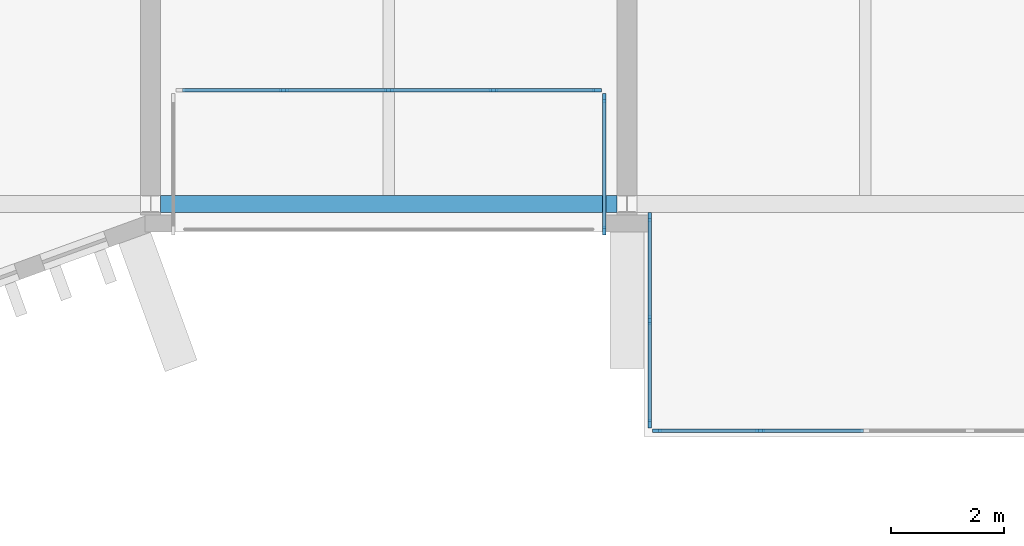
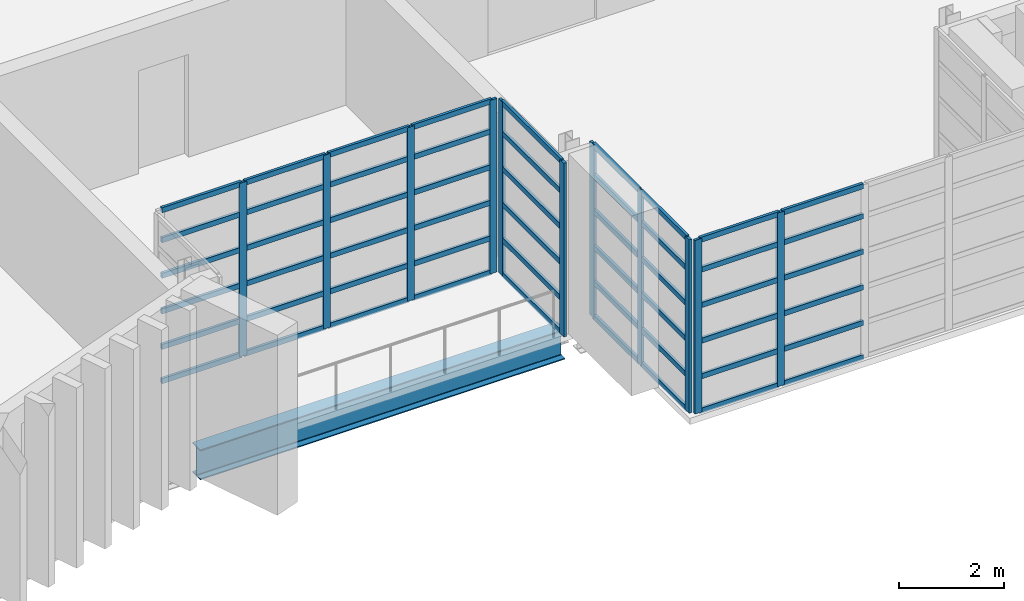
# One storey, part 39 of 100: 65 members, 1 beam, 4 elements without a shape of their own.
"""IFC4 building model written with IfcOpenShell, lengths in metres."""

from ifc_helpers import new_model, si_unit, direction, frame, origin, origin_2d, place, context, subcontext, project, spatial, rectangle, i_section, extrude, material, layer, layer_set, material_profile, profile_set, type_object, element, aggregate, save


model = new_model("IFC4")

# Units and contexts
model_context = context("Model", 3, precision=1e-05, world=origin(), true_north=direction((0.0, 1.0)))
body_context = subcontext(model_context, "Body", "Model", "MODEL_VIEW")
ifc_project = project(units=[si_unit("LENGTHUNIT", "METRE"), si_unit("AREAUNIT", "SQUARE_METRE"), si_unit("VOLUMEUNIT", "CUBIC_METRE"), si_unit("PLANEANGLEUNIT", "RADIAN"), si_unit("MASSUNIT", "GRAM", prefix="KILO")], contexts=[model_context])

# Site, building, storey
site_placement = place(None, origin())
site = spatial("IfcSite", under=ifc_project, at=site_placement, CompositionType="ELEMENT")
building_placement = place(site_placement, origin())
building = spatial("IfcBuilding", under=site, at=building_placement, Name="Cresset Court Congress Hotel", CompositionType="ELEMENT")
storey_placement = place(building_placement, frame((0.0, 0.0, 10.199951171875)))
storey = spatial("IfcBuildingStorey", under=building, at=storey_placement, Name="L02", CompositionType="ELEMENT", Elevation=10.199951171875)

# Curtain wall, members
ifc_material_1 = material(Name="Aluminium frame with double glazing", Category="aluminium")
ifc_layer = layer(ifc_material_1, 0.199951171875)
ifc_layer_set = layer_set([ifc_layer], Name="Glazed box curtain wall 1680 module")
curtain_wall_type = type_object("IfcCurtainWallType", Name="Glazed box curtain wall 1680 module", PredefinedType="NOTDEFINED", material=ifc_layer_set)
curtain_wall_1_placement = place(storey_placement, origin())
curtain_wall_1 = element("IfcCurtainWall", 1, at=curtain_wall_1_placement, inside=storey, type_object=curtain_wall_type, Name="Glazed box S0219 front", PredefinedType="NOTDEFINED")
ifc_material_2 = material(Name="Aluminium", Category="aluminium")
ifc_material_profile_1 = material_profile(ifc_material_2, rectangle(XDim=0.06005859375, YDim=0.159912109375, at=origin_2d()), Name="Box mullion 60x160")
ifc_profile_set_1 = profile_set([ifc_material_profile_1], Name="Aluminium")
member_type_1 = type_object("IfcMemberType", Name="Box mullion 60x160", PredefinedType="MULLION", material=ifc_profile_set_1)
member_1_placement = place(storey_placement, frame((136.75, 2.0, 0.0), z_axis=(0.0, 0.0, 1.0), x_axis=(0.0, 1.0, 0.0)))
member_1 = element("IfcMember", 2, at=member_1_placement, type_object=member_type_1, Name="B-X1 mullion 2", PredefinedType="MULLION", context=body_context, shape_type="SweptSolid", body=[
    extrude(rectangle(XDim=0.06005859375, YDim=0.159912109375, at=origin_2d()), origin(), (0.0, 0.0, 1.0), 4.050048828125),
])
member_2_placement = place(storey_placement, frame((138.60009765625, 2.0, 0.0), z_axis=(0.0, 0.0, 1.0), x_axis=(0.0, 1.0, 0.0)))
member_2 = element("IfcMember", 3, at=member_2_placement, type_object=member_type_1, Name="B-X1 mullion 3", PredefinedType="MULLION", context=body_context, shape_type="SweptSolid", body=[
    extrude(rectangle(XDim=0.06005859375, YDim=0.159912109375, at=origin_2d()), origin(), (0.0, 0.0, 1.0), 4.050048828125),
])
member_3_placement = place(storey_placement, frame((140.449951171875, 2.0, 0.0), z_axis=(0.0, 0.0, 1.0), x_axis=(0.0, 1.0, 0.0)))
member_3 = element("IfcMember", 4, at=member_3_placement, type_object=member_type_1, Name="B-X1 mullion 4", PredefinedType="MULLION", context=body_context, shape_type="SweptSolid", body=[
    extrude(rectangle(XDim=0.06005859375, YDim=0.159912109375, at=origin_2d()), origin(), (0.0, 0.0, 1.0), 4.050048828125),
])
member_4_placement = place(storey_placement, frame((142.27001953125, 2.0, 0.0), z_axis=(0.0, 0.0, 1.0), x_axis=(0.0, 1.0, 0.0)))
member_4 = element("IfcMember", 5, at=member_4_placement, type_object=member_type_1, Name="B-X1 mullion 5", PredefinedType="MULLION", context=body_context, shape_type="SweptSolid", body=[
    extrude(rectangle(XDim=0.06005859375, YDim=0.159912109375, at=origin_2d()), origin(), (0.0, 0.0, 1.0), 4.050048828125),
])

curtain_wall_2_placement = place(storey_placement, origin())
curtain_wall_2 = element("IfcCurtainWall", 6, at=curtain_wall_2_placement, inside=storey, type_object=curtain_wall_type, Name="Glazed box S0219 side", PredefinedType="NOTDEFINED")
member_5_placement = place(storey_placement, frame((142.39990234375, -0.469970703125, 0.0), z_axis=(0.0, 0.0, 1.0), x_axis=(-1.0, 0.0, 0.0)))
member_5 = element("IfcMember", 7, at=member_5_placement, type_object=member_type_1, Name="B-X1 mullion 1", PredefinedType="MULLION", context=body_context, shape_type="SweptSolid", body=[
    extrude(rectangle(XDim=0.06005859375, YDim=0.159912109375, at=origin_2d()), origin(), (0.0, 0.0, 1.0), 4.050048828125),
])
member_6_placement = place(storey_placement, frame((142.39990234375, 1.8701171875, 0.0), z_axis=(0.0, 0.0, 1.0), x_axis=(-1.0, 0.0, 0.0)))
member_6 = element("IfcMember", 8, at=member_6_placement, type_object=member_type_1, Name="B-X1 mullion 2", PredefinedType="MULLION", context=body_context, shape_type="SweptSolid", body=[
    extrude(rectangle(XDim=0.06005859375, YDim=0.159912109375, at=origin_2d()), origin(), (0.0, 0.0, 1.0), 4.050048828125),
])

curtain_wall_3_placement = place(storey_placement, origin())
curtain_wall_3 = element("IfcCurtainWall", 9, at=curtain_wall_3_placement, inside=storey, type_object=curtain_wall_type, Name="Glazed box S0222 front", PredefinedType="NOTDEFINED")
member_7_placement = place(storey_placement, frame((143.330078125, -4.0, 0.0), z_axis=(0.0, 0.0, 1.0), x_axis=(0.0, 1.0, 0.0)))
member_7 = element("IfcMember", 10, at=member_7_placement, type_object=member_type_1, Name="B-X1 mullion 1", PredefinedType="MULLION", context=body_context, shape_type="SweptSolid", body=[
    extrude(rectangle(XDim=0.06005859375, YDim=0.159912109375, at=origin_2d()), origin(), (0.0, 0.0, 1.0), 4.050048828125),
])
member_8_placement = place(storey_placement, frame((145.14990234375, -4.0, 0.0), z_axis=(0.0, 0.0, 1.0), x_axis=(0.0, 1.0, 0.0)))
member_8 = element("IfcMember", 11, at=member_8_placement, type_object=member_type_1, Name="B-X1 mullion 2", PredefinedType="MULLION", context=body_context, shape_type="SweptSolid", body=[
    extrude(rectangle(XDim=0.06005859375, YDim=0.159912109375, at=origin_2d()), origin(), (0.0, 0.0, 1.0), 4.050048828125),
])

curtain_wall_4_placement = place(storey_placement, origin())
curtain_wall_4 = element("IfcCurtainWall", 12, at=curtain_wall_4_placement, inside=storey, type_object=curtain_wall_type, Name="Glazed box S0222 side", PredefinedType="NOTDEFINED")
member_9_placement = place(storey_placement, frame((143.199951171875, -0.22998046875, 0.0), z_axis=(0.0, 0.0, 1.0), x_axis=(1.0, 0.0, 0.0)))
member_9 = element("IfcMember", 13, at=member_9_placement, type_object=member_type_1, Name="B-X1 mullion 1", PredefinedType="MULLION", context=body_context, shape_type="SweptSolid", body=[
    extrude(rectangle(XDim=0.06005859375, YDim=0.159912109375, at=origin_2d()), origin(), (0.0, 0.0, 1.0), 4.050048828125),
])
member_10_placement = place(storey_placement, frame((143.199951171875, -2.050048828125, 0.0), z_axis=(0.0, 0.0, 1.0), x_axis=(1.0, 0.0, 0.0)))
member_10 = element("IfcMember", 14, at=member_10_placement, type_object=member_type_1, Name="B-X1 mullion 2", PredefinedType="MULLION", context=body_context, shape_type="SweptSolid", body=[
    extrude(rectangle(XDim=0.06005859375, YDim=0.159912109375, at=origin_2d()), origin(), (0.0, 0.0, 1.0), 4.050048828125),
])
member_11_placement = place(storey_placement, frame((143.199951171875, -3.8701171875, 0.0), z_axis=(0.0, 0.0, 1.0), x_axis=(1.0, 0.0, 0.0)))
member_11 = element("IfcMember", 15, at=member_11_placement, type_object=member_type_1, Name="B-X1 mullion 3", PredefinedType="MULLION", context=body_context, shape_type="SweptSolid", body=[
    extrude(rectangle(XDim=0.06005859375, YDim=0.159912109375, at=origin_2d()), origin(), (0.0, 0.0, 1.0), 4.050048828125),
])

# Member
ifc_material_3 = material(Name="Aluminium", Category="aluminium")
ifc_material_profile_2 = material_profile(ifc_material_3, rectangle(XDim=0.06005859375, YDim=0.1201171875, at=origin_2d()), Name="Box transom 60x120")
ifc_profile_set_2 = profile_set([ifc_material_profile_2], Name="Aluminium")
member_type_2 = type_object("IfcMemberType", Name="Box transom 60x120", PredefinedType="USERDEFINED", material=ifc_profile_set_2)
member_12_placement = place(storey_placement, frame((134.9599609375, 2.0, 0.030029296875), z_axis=(1.0, 0.0, 0.0), x_axis=(0.0, 1.0, 0.0)))
member_12 = element("IfcMember", 16, at=member_12_placement, type_object=member_type_2, Name="B-X1 transom 1.1", ObjectType="TRANSOM", PredefinedType="USERDEFINED", context=body_context, shape_type="SweptSolid", body=[
    extrude(rectangle(XDim=0.06005859375, YDim=0.1201171875, at=origin_2d()), origin(), (0.0, 0.0, 1.0), 1.760009765625),
])

member_13_placement = place(storey_placement, frame((134.9599609375, 2.0, 0.830078125), z_axis=(1.0, 0.0, 0.0), x_axis=(0.0, 1.0, 0.0)))
member_13 = element("IfcMember", 17, at=member_13_placement, type_object=member_type_2, Name="B-X1 transom 1.2", ObjectType="TRANSOM", PredefinedType="USERDEFINED", context=body_context, shape_type="SweptSolid", body=[
    extrude(rectangle(XDim=0.06005859375, YDim=0.1201171875, at=origin_2d()), origin(), (0.0, 0.0, 1.0), 1.760009765625),
])

member_14_placement = place(storey_placement, frame((134.9599609375, 2.0, 1.66015625), z_axis=(1.0, 0.0, 0.0), x_axis=(0.0, 1.0, 0.0)))
member_14 = element("IfcMember", 18, at=member_14_placement, type_object=member_type_2, Name="B-X1 transom 1.3", ObjectType="TRANSOM", PredefinedType="USERDEFINED", context=body_context, shape_type="SweptSolid", body=[
    extrude(rectangle(XDim=0.06005859375, YDim=0.1201171875, at=origin_2d()), origin(), (0.0, 0.0, 1.0), 1.760009765625),
])

member_15_placement = place(storey_placement, frame((134.9599609375, 2.0, 2.489990234375), z_axis=(1.0, 0.0, 0.0), x_axis=(0.0, 1.0, 0.0)))
member_15 = element("IfcMember", 19, at=member_15_placement, type_object=member_type_2, Name="B-X1 transom 1.4", ObjectType="TRANSOM", PredefinedType="USERDEFINED", context=body_context, shape_type="SweptSolid", body=[
    extrude(rectangle(XDim=0.06005859375, YDim=0.1201171875, at=origin_2d()), origin(), (0.0, 0.0, 1.0), 1.760009765625),
])

member_16_placement = place(storey_placement, frame((134.9599609375, 2.0, 3.320068359375), z_axis=(1.0, 0.0, 0.0), x_axis=(0.0, 1.0, 0.0)))
member_16 = element("IfcMember", 20, at=member_16_placement, type_object=member_type_2, Name="B-X1 transom 1.5", ObjectType="TRANSOM", PredefinedType="USERDEFINED", context=body_context, shape_type="SweptSolid", body=[
    extrude(rectangle(XDim=0.06005859375, YDim=0.1201171875, at=origin_2d()), origin(), (0.0, 0.0, 1.0), 1.760009765625),
])

member_17_placement = place(storey_placement, frame((134.9599609375, 2.0, 4.02001953125), z_axis=(1.0, 0.0, 0.0), x_axis=(0.0, 1.0, 0.0)))
member_17 = element("IfcMember", 21, at=member_17_placement, type_object=member_type_2, Name="B-X1 transom 1.6", ObjectType="TRANSOM", PredefinedType="USERDEFINED", context=body_context, shape_type="SweptSolid", body=[
    extrude(rectangle(XDim=0.06005859375, YDim=0.1201171875, at=origin_2d()), origin(), (0.0, 0.0, 1.0), 1.760009765625),
])

member_18_placement = place(storey_placement, frame((136.780029296875, 2.0, 0.030029296875), z_axis=(1.0, 0.0, 0.0), x_axis=(0.0, 1.0, 0.0)))
member_18 = element("IfcMember", 22, at=member_18_placement, type_object=member_type_2, Name="B-X1 transom 2.1", ObjectType="TRANSOM", PredefinedType="USERDEFINED", context=body_context, shape_type="SweptSolid", body=[
    extrude(rectangle(XDim=0.06005859375, YDim=0.1201171875, at=origin_2d()), origin(), (0.0, 0.0, 1.0), 1.7900390625),
])

member_19_placement = place(storey_placement, frame((136.780029296875, 2.0, 0.830078125), z_axis=(1.0, 0.0, 0.0), x_axis=(0.0, 1.0, 0.0)))
member_19 = element("IfcMember", 23, at=member_19_placement, type_object=member_type_2, Name="B-X1 transom 2.2", ObjectType="TRANSOM", PredefinedType="USERDEFINED", context=body_context, shape_type="SweptSolid", body=[
    extrude(rectangle(XDim=0.06005859375, YDim=0.1201171875, at=origin_2d()), origin(), (0.0, 0.0, 1.0), 1.7900390625),
])

member_20_placement = place(storey_placement, frame((136.780029296875, 2.0, 1.66015625), z_axis=(1.0, 0.0, 0.0), x_axis=(0.0, 1.0, 0.0)))
member_20 = element("IfcMember", 24, at=member_20_placement, type_object=member_type_2, Name="B-X1 transom 2.3", ObjectType="TRANSOM", PredefinedType="USERDEFINED", context=body_context, shape_type="SweptSolid", body=[
    extrude(rectangle(XDim=0.06005859375, YDim=0.1201171875, at=origin_2d()), origin(), (0.0, 0.0, 1.0), 1.7900390625),
])

member_21_placement = place(storey_placement, frame((136.780029296875, 2.0, 2.489990234375), z_axis=(1.0, 0.0, 0.0), x_axis=(0.0, 1.0, 0.0)))
member_21 = element("IfcMember", 25, at=member_21_placement, type_object=member_type_2, Name="B-X1 transom 2.4", ObjectType="TRANSOM", PredefinedType="USERDEFINED", context=body_context, shape_type="SweptSolid", body=[
    extrude(rectangle(XDim=0.06005859375, YDim=0.1201171875, at=origin_2d()), origin(), (0.0, 0.0, 1.0), 1.7900390625),
])

member_22_placement = place(storey_placement, frame((136.780029296875, 2.0, 3.320068359375), z_axis=(1.0, 0.0, 0.0), x_axis=(0.0, 1.0, 0.0)))
member_22 = element("IfcMember", 26, at=member_22_placement, type_object=member_type_2, Name="B-X1 transom 2.5", ObjectType="TRANSOM", PredefinedType="USERDEFINED", context=body_context, shape_type="SweptSolid", body=[
    extrude(rectangle(XDim=0.06005859375, YDim=0.1201171875, at=origin_2d()), origin(), (0.0, 0.0, 1.0), 1.7900390625),
])

member_23_placement = place(storey_placement, frame((136.780029296875, 2.0, 4.02001953125), z_axis=(1.0, 0.0, 0.0), x_axis=(0.0, 1.0, 0.0)))
member_23 = element("IfcMember", 27, at=member_23_placement, type_object=member_type_2, Name="B-X1 transom 2.6", ObjectType="TRANSOM", PredefinedType="USERDEFINED", context=body_context, shape_type="SweptSolid", body=[
    extrude(rectangle(XDim=0.06005859375, YDim=0.1201171875, at=origin_2d()), origin(), (0.0, 0.0, 1.0), 1.7900390625),
])

member_24_placement = place(storey_placement, frame((138.6298828125, 2.0, 0.030029296875), z_axis=(1.0, 0.0, 0.0), x_axis=(0.0, 1.0, 0.0)))
member_24 = element("IfcMember", 28, at=member_24_placement, type_object=member_type_2, Name="B-X1 transom 3.1", ObjectType="TRANSOM", PredefinedType="USERDEFINED", context=body_context, shape_type="SweptSolid", body=[
    extrude(rectangle(XDim=0.06005859375, YDim=0.1201171875, at=origin_2d()), origin(), (0.0, 0.0, 1.0), 1.7900390625),
])

member_25_placement = place(storey_placement, frame((138.6298828125, 2.0, 0.830078125), z_axis=(1.0, 0.0, 0.0), x_axis=(0.0, 1.0, 0.0)))
member_25 = element("IfcMember", 29, at=member_25_placement, type_object=member_type_2, Name="B-X1 transom 3.2", ObjectType="TRANSOM", PredefinedType="USERDEFINED", context=body_context, shape_type="SweptSolid", body=[
    extrude(rectangle(XDim=0.06005859375, YDim=0.1201171875, at=origin_2d()), origin(), (0.0, 0.0, 1.0), 1.7900390625),
])

member_26_placement = place(storey_placement, frame((138.6298828125, 2.0, 1.66015625), z_axis=(1.0, 0.0, 0.0), x_axis=(0.0, 1.0, 0.0)))
member_26 = element("IfcMember", 30, at=member_26_placement, type_object=member_type_2, Name="B-X1 transom 3.3", ObjectType="TRANSOM", PredefinedType="USERDEFINED", context=body_context, shape_type="SweptSolid", body=[
    extrude(rectangle(XDim=0.06005859375, YDim=0.1201171875, at=origin_2d()), origin(), (0.0, 0.0, 1.0), 1.7900390625),
])

member_27_placement = place(storey_placement, frame((138.6298828125, 2.0, 2.489990234375), z_axis=(1.0, 0.0, 0.0), x_axis=(0.0, 1.0, 0.0)))
member_27 = element("IfcMember", 31, at=member_27_placement, type_object=member_type_2, Name="B-X1 transom 3.4", ObjectType="TRANSOM", PredefinedType="USERDEFINED", context=body_context, shape_type="SweptSolid", body=[
    extrude(rectangle(XDim=0.06005859375, YDim=0.1201171875, at=origin_2d()), origin(), (0.0, 0.0, 1.0), 1.7900390625),
])

member_28_placement = place(storey_placement, frame((138.6298828125, 2.0, 3.320068359375), z_axis=(1.0, 0.0, 0.0), x_axis=(0.0, 1.0, 0.0)))
member_28 = element("IfcMember", 32, at=member_28_placement, type_object=member_type_2, Name="B-X1 transom 3.5", ObjectType="TRANSOM", PredefinedType="USERDEFINED", context=body_context, shape_type="SweptSolid", body=[
    extrude(rectangle(XDim=0.06005859375, YDim=0.1201171875, at=origin_2d()), origin(), (0.0, 0.0, 1.0), 1.7900390625),
])

member_29_placement = place(storey_placement, frame((138.6298828125, 2.0, 4.02001953125), z_axis=(1.0, 0.0, 0.0), x_axis=(0.0, 1.0, 0.0)))
member_29 = element("IfcMember", 33, at=member_29_placement, type_object=member_type_2, Name="B-X1 transom 3.6", ObjectType="TRANSOM", PredefinedType="USERDEFINED", context=body_context, shape_type="SweptSolid", body=[
    extrude(rectangle(XDim=0.06005859375, YDim=0.1201171875, at=origin_2d()), origin(), (0.0, 0.0, 1.0), 1.7900390625),
])

member_30_placement = place(storey_placement, frame((140.47998046875, 2.0, 0.030029296875), z_axis=(1.0, 0.0, 0.0), x_axis=(0.0, 1.0, 0.0)))
member_30 = element("IfcMember", 34, at=member_30_placement, type_object=member_type_2, Name="B-X1 transom 4.1", ObjectType="TRANSOM", PredefinedType="USERDEFINED", context=body_context, shape_type="SweptSolid", body=[
    extrude(rectangle(XDim=0.06005859375, YDim=0.1201171875, at=origin_2d()), origin(), (0.0, 0.0, 1.0), 1.760009765625),
])

member_31_placement = place(storey_placement, frame((140.47998046875, 2.0, 0.830078125), z_axis=(1.0, 0.0, 0.0), x_axis=(0.0, 1.0, 0.0)))
member_31 = element("IfcMember", 35, at=member_31_placement, type_object=member_type_2, Name="B-X1 transom 4.2", ObjectType="TRANSOM", PredefinedType="USERDEFINED", context=body_context, shape_type="SweptSolid", body=[
    extrude(rectangle(XDim=0.06005859375, YDim=0.1201171875, at=origin_2d()), origin(), (0.0, 0.0, 1.0), 1.760009765625),
])

member_32_placement = place(storey_placement, frame((140.47998046875, 2.0, 1.66015625), z_axis=(1.0, 0.0, 0.0), x_axis=(0.0, 1.0, 0.0)))
member_32 = element("IfcMember", 36, at=member_32_placement, type_object=member_type_2, Name="B-X1 transom 4.3", ObjectType="TRANSOM", PredefinedType="USERDEFINED", context=body_context, shape_type="SweptSolid", body=[
    extrude(rectangle(XDim=0.06005859375, YDim=0.1201171875, at=origin_2d()), origin(), (0.0, 0.0, 1.0), 1.760009765625),
])

member_33_placement = place(storey_placement, frame((140.47998046875, 2.0, 2.489990234375), z_axis=(1.0, 0.0, 0.0), x_axis=(0.0, 1.0, 0.0)))
member_33 = element("IfcMember", 37, at=member_33_placement, type_object=member_type_2, Name="B-X1 transom 4.4", ObjectType="TRANSOM", PredefinedType="USERDEFINED", context=body_context, shape_type="SweptSolid", body=[
    extrude(rectangle(XDim=0.06005859375, YDim=0.1201171875, at=origin_2d()), origin(), (0.0, 0.0, 1.0), 1.760009765625),
])

member_34_placement = place(storey_placement, frame((140.47998046875, 2.0, 3.320068359375), z_axis=(1.0, 0.0, 0.0), x_axis=(0.0, 1.0, 0.0)))
member_34 = element("IfcMember", 38, at=member_34_placement, type_object=member_type_2, Name="B-X1 transom 4.5", ObjectType="TRANSOM", PredefinedType="USERDEFINED", context=body_context, shape_type="SweptSolid", body=[
    extrude(rectangle(XDim=0.06005859375, YDim=0.1201171875, at=origin_2d()), origin(), (0.0, 0.0, 1.0), 1.760009765625),
])

member_35_placement = place(storey_placement, frame((140.47998046875, 2.0, 4.02001953125), z_axis=(1.0, 0.0, 0.0), x_axis=(0.0, 1.0, 0.0)))
member_35 = element("IfcMember", 39, at=member_35_placement, type_object=member_type_2, Name="B-X1 transom 4.6", ObjectType="TRANSOM", PredefinedType="USERDEFINED", context=body_context, shape_type="SweptSolid", body=[
    extrude(rectangle(XDim=0.06005859375, YDim=0.1201171875, at=origin_2d()), origin(), (0.0, 0.0, 1.0), 1.760009765625),
])

aggregate(curtain_wall_1, [member_1, member_2, member_3, member_4, member_12, member_13, member_14, member_15, member_16, member_17, member_18, member_19, member_20, member_21, member_22, member_23, member_24, member_25, member_26, member_27, member_28, member_29, member_30, member_31, member_32, member_33, member_34, member_35])

member_36_placement = place(storey_placement, frame((142.39990234375, -0.43994140625, 0.030029296875), z_axis=(0.0, 1.0, 0.0), x_axis=(-1.0, 0.0, 0.0)))
member_36 = element("IfcMember", 40, at=member_36_placement, type_object=member_type_2, Name="B-X1 transom 1.1", ObjectType="TRANSOM", PredefinedType="USERDEFINED", context=body_context, shape_type="SweptSolid", body=[
    extrude(rectangle(XDim=0.06005859375, YDim=0.1201171875, at=origin_2d()), origin(), (0.0, 0.0, 1.0), 2.280029296875),
])

member_37_placement = place(storey_placement, frame((142.39990234375, -0.43994140625, 0.830078125), z_axis=(0.0, 1.0, 0.0), x_axis=(-1.0, 0.0, 0.0)))
member_37 = element("IfcMember", 41, at=member_37_placement, type_object=member_type_2, Name="B-X1 transom 1.2", ObjectType="TRANSOM", PredefinedType="USERDEFINED", context=body_context, shape_type="SweptSolid", body=[
    extrude(rectangle(XDim=0.06005859375, YDim=0.1201171875, at=origin_2d()), origin(), (0.0, 0.0, 1.0), 2.280029296875),
])

member_38_placement = place(storey_placement, frame((142.39990234375, -0.43994140625, 1.66015625), z_axis=(0.0, 1.0, 0.0), x_axis=(-1.0, 0.0, 0.0)))
member_38 = element("IfcMember", 42, at=member_38_placement, type_object=member_type_2, Name="B-X1 transom 1.3", ObjectType="TRANSOM", PredefinedType="USERDEFINED", context=body_context, shape_type="SweptSolid", body=[
    extrude(rectangle(XDim=0.06005859375, YDim=0.1201171875, at=origin_2d()), origin(), (0.0, 0.0, 1.0), 2.280029296875),
])

member_39_placement = place(storey_placement, frame((142.39990234375, -0.43994140625, 2.489990234375), z_axis=(0.0, 1.0, 0.0), x_axis=(-1.0, 0.0, 0.0)))
member_39 = element("IfcMember", 43, at=member_39_placement, type_object=member_type_2, Name="B-X1 transom 1.4", ObjectType="TRANSOM", PredefinedType="USERDEFINED", context=body_context, shape_type="SweptSolid", body=[
    extrude(rectangle(XDim=0.06005859375, YDim=0.1201171875, at=origin_2d()), origin(), (0.0, 0.0, 1.0), 2.280029296875),
])

member_40_placement = place(storey_placement, frame((142.39990234375, -0.43994140625, 3.320068359375), z_axis=(0.0, 1.0, 0.0), x_axis=(-1.0, 0.0, 0.0)))
member_40 = element("IfcMember", 44, at=member_40_placement, type_object=member_type_2, Name="B-X1 transom 1.5", ObjectType="TRANSOM", PredefinedType="USERDEFINED", context=body_context, shape_type="SweptSolid", body=[
    extrude(rectangle(XDim=0.06005859375, YDim=0.1201171875, at=origin_2d()), origin(), (0.0, 0.0, 1.0), 2.280029296875),
])

member_41_placement = place(storey_placement, frame((142.39990234375, -0.43994140625, 4.02001953125), z_axis=(0.0, 1.0, 0.0), x_axis=(-1.0, 0.0, 0.0)))
member_41 = element("IfcMember", 45, at=member_41_placement, type_object=member_type_2, Name="B-X1 transom 1.6", ObjectType="TRANSOM", PredefinedType="USERDEFINED", context=body_context, shape_type="SweptSolid", body=[
    extrude(rectangle(XDim=0.06005859375, YDim=0.1201171875, at=origin_2d()), origin(), (0.0, 0.0, 1.0), 2.280029296875),
])

aggregate(curtain_wall_2, [member_5, member_6, member_36, member_37, member_38, member_39, member_40, member_41])

member_42_placement = place(storey_placement, frame((143.360107421875, -4.0, 0.030029296875), z_axis=(1.0, 0.0, 0.0), x_axis=(0.0, 1.0, 0.0)))
member_42 = element("IfcMember", 46, at=member_42_placement, type_object=member_type_2, Name="B-X1 transom 1.1", ObjectType="TRANSOM", PredefinedType="USERDEFINED", context=body_context, shape_type="SweptSolid", body=[
    extrude(rectangle(XDim=0.06005859375, YDim=0.1201171875, at=origin_2d()), origin(), (0.0, 0.0, 1.0), 1.760009765625),
])

member_43_placement = place(storey_placement, frame((143.360107421875, -4.0, 0.830078125), z_axis=(1.0, 0.0, 0.0), x_axis=(0.0, 1.0, 0.0)))
member_43 = element("IfcMember", 47, at=member_43_placement, type_object=member_type_2, Name="B-X1 transom 1.2", ObjectType="TRANSOM", PredefinedType="USERDEFINED", context=body_context, shape_type="SweptSolid", body=[
    extrude(rectangle(XDim=0.06005859375, YDim=0.1201171875, at=origin_2d()), origin(), (0.0, 0.0, 1.0), 1.760009765625),
])

member_44_placement = place(storey_placement, frame((143.360107421875, -4.0, 1.66015625), z_axis=(1.0, 0.0, 0.0), x_axis=(0.0, 1.0, 0.0)))
member_44 = element("IfcMember", 48, at=member_44_placement, type_object=member_type_2, Name="B-X1 transom 1.3", ObjectType="TRANSOM", PredefinedType="USERDEFINED", context=body_context, shape_type="SweptSolid", body=[
    extrude(rectangle(XDim=0.06005859375, YDim=0.1201171875, at=origin_2d()), origin(), (0.0, 0.0, 1.0), 1.760009765625),
])

member_45_placement = place(storey_placement, frame((143.360107421875, -4.0, 2.489990234375), z_axis=(1.0, 0.0, 0.0), x_axis=(0.0, 1.0, 0.0)))
member_45 = element("IfcMember", 49, at=member_45_placement, type_object=member_type_2, Name="B-X1 transom 1.4", ObjectType="TRANSOM", PredefinedType="USERDEFINED", context=body_context, shape_type="SweptSolid", body=[
    extrude(rectangle(XDim=0.06005859375, YDim=0.1201171875, at=origin_2d()), origin(), (0.0, 0.0, 1.0), 1.760009765625),
])

member_46_placement = place(storey_placement, frame((143.360107421875, -4.0, 3.320068359375), z_axis=(1.0, 0.0, 0.0), x_axis=(0.0, 1.0, 0.0)))
member_46 = element("IfcMember", 50, at=member_46_placement, type_object=member_type_2, Name="B-X1 transom 1.5", ObjectType="TRANSOM", PredefinedType="USERDEFINED", context=body_context, shape_type="SweptSolid", body=[
    extrude(rectangle(XDim=0.06005859375, YDim=0.1201171875, at=origin_2d()), origin(), (0.0, 0.0, 1.0), 1.760009765625),
])

member_47_placement = place(storey_placement, frame((143.360107421875, -4.0, 4.02001953125), z_axis=(1.0, 0.0, 0.0), x_axis=(0.0, 1.0, 0.0)))
member_47 = element("IfcMember", 51, at=member_47_placement, type_object=member_type_2, Name="B-X1 transom 1.6", ObjectType="TRANSOM", PredefinedType="USERDEFINED", context=body_context, shape_type="SweptSolid", body=[
    extrude(rectangle(XDim=0.06005859375, YDim=0.1201171875, at=origin_2d()), origin(), (0.0, 0.0, 1.0), 1.760009765625),
])

member_48_placement = place(storey_placement, frame((145.179931640625, -4.0, 0.030029296875), z_axis=(1.0, 0.0, 0.0), x_axis=(0.0, 1.0, 0.0)))
member_48 = element("IfcMember", 52, at=member_48_placement, type_object=member_type_2, Name="B-X1 transom 2.1", ObjectType="TRANSOM", PredefinedType="USERDEFINED", context=body_context, shape_type="SweptSolid", body=[
    extrude(rectangle(XDim=0.06005859375, YDim=0.1201171875, at=origin_2d()), origin(), (0.0, 0.0, 1.0), 1.7900390625),
])

member_49_placement = place(storey_placement, frame((145.179931640625, -4.0, 0.830078125), z_axis=(1.0, 0.0, 0.0), x_axis=(0.0, 1.0, 0.0)))
member_49 = element("IfcMember", 53, at=member_49_placement, type_object=member_type_2, Name="B-X1 transom 2.2", ObjectType="TRANSOM", PredefinedType="USERDEFINED", context=body_context, shape_type="SweptSolid", body=[
    extrude(rectangle(XDim=0.06005859375, YDim=0.1201171875, at=origin_2d()), origin(), (0.0, 0.0, 1.0), 1.7900390625),
])

member_50_placement = place(storey_placement, frame((145.179931640625, -4.0, 1.66015625), z_axis=(1.0, 0.0, 0.0), x_axis=(0.0, 1.0, 0.0)))
member_50 = element("IfcMember", 54, at=member_50_placement, type_object=member_type_2, Name="B-X1 transom 2.3", ObjectType="TRANSOM", PredefinedType="USERDEFINED", context=body_context, shape_type="SweptSolid", body=[
    extrude(rectangle(XDim=0.06005859375, YDim=0.1201171875, at=origin_2d()), origin(), (0.0, 0.0, 1.0), 1.7900390625),
])

member_51_placement = place(storey_placement, frame((145.179931640625, -4.0, 2.489990234375), z_axis=(1.0, 0.0, 0.0), x_axis=(0.0, 1.0, 0.0)))
member_51 = element("IfcMember", 55, at=member_51_placement, type_object=member_type_2, Name="B-X1 transom 2.4", ObjectType="TRANSOM", PredefinedType="USERDEFINED", context=body_context, shape_type="SweptSolid", body=[
    extrude(rectangle(XDim=0.06005859375, YDim=0.1201171875, at=origin_2d()), origin(), (0.0, 0.0, 1.0), 1.7900390625),
])

member_52_placement = place(storey_placement, frame((145.179931640625, -4.0, 3.320068359375), z_axis=(1.0, 0.0, 0.0), x_axis=(0.0, 1.0, 0.0)))
member_52 = element("IfcMember", 56, at=member_52_placement, type_object=member_type_2, Name="B-X1 transom 2.5", ObjectType="TRANSOM", PredefinedType="USERDEFINED", context=body_context, shape_type="SweptSolid", body=[
    extrude(rectangle(XDim=0.06005859375, YDim=0.1201171875, at=origin_2d()), origin(), (0.0, 0.0, 1.0), 1.7900390625),
])

member_53_placement = place(storey_placement, frame((145.179931640625, -4.0, 4.02001953125), z_axis=(1.0, 0.0, 0.0), x_axis=(0.0, 1.0, 0.0)))
member_53 = element("IfcMember", 57, at=member_53_placement, type_object=member_type_2, Name="B-X1 transom 2.6", ObjectType="TRANSOM", PredefinedType="USERDEFINED", context=body_context, shape_type="SweptSolid", body=[
    extrude(rectangle(XDim=0.06005859375, YDim=0.1201171875, at=origin_2d()), origin(), (0.0, 0.0, 1.0), 1.7900390625),
])

aggregate(curtain_wall_3, [member_7, member_8, member_42, member_43, member_44, member_45, member_46, member_47, member_48, member_49, member_50, member_51, member_52, member_53])

member_54_placement = place(storey_placement, frame((143.199951171875, -0.260009765625, 0.030029296875), z_axis=(0.0, -1.0, 0.0), x_axis=(1.0, 0.0, 0.0)))
member_54 = element("IfcMember", 58, at=member_54_placement, type_object=member_type_2, Name="B-X1 transom 1.1", ObjectType="TRANSOM", PredefinedType="USERDEFINED", context=body_context, shape_type="SweptSolid", body=[
    extrude(rectangle(XDim=0.06005859375, YDim=0.1201171875, at=origin_2d()), origin(), (0.0, 0.0, 1.0), 1.760009765625),
])

member_55_placement = place(storey_placement, frame((143.199951171875, -0.260009765625, 0.830078125), z_axis=(0.0, -1.0, 0.0), x_axis=(1.0, 0.0, 0.0)))
member_55 = element("IfcMember", 59, at=member_55_placement, type_object=member_type_2, Name="B-X1 transom 1.2", ObjectType="TRANSOM", PredefinedType="USERDEFINED", context=body_context, shape_type="SweptSolid", body=[
    extrude(rectangle(XDim=0.06005859375, YDim=0.1201171875, at=origin_2d()), origin(), (0.0, 0.0, 1.0), 1.760009765625),
])

member_56_placement = place(storey_placement, frame((143.199951171875, -0.260009765625, 1.66015625), z_axis=(0.0, -1.0, 0.0), x_axis=(1.0, 0.0, 0.0)))
member_56 = element("IfcMember", 60, at=member_56_placement, type_object=member_type_2, Name="B-X1 transom 1.3", ObjectType="TRANSOM", PredefinedType="USERDEFINED", context=body_context, shape_type="SweptSolid", body=[
    extrude(rectangle(XDim=0.06005859375, YDim=0.1201171875, at=origin_2d()), origin(), (0.0, 0.0, 1.0), 1.760009765625),
])

member_57_placement = place(storey_placement, frame((143.199951171875, -0.260009765625, 2.489990234375), z_axis=(0.0, -1.0, 0.0), x_axis=(1.0, 0.0, 0.0)))
member_57 = element("IfcMember", 61, at=member_57_placement, type_object=member_type_2, Name="B-X1 transom 1.4", ObjectType="TRANSOM", PredefinedType="USERDEFINED", context=body_context, shape_type="SweptSolid", body=[
    extrude(rectangle(XDim=0.06005859375, YDim=0.1201171875, at=origin_2d()), origin(), (0.0, 0.0, 1.0), 1.760009765625),
])

member_58_placement = place(storey_placement, frame((143.199951171875, -0.260009765625, 3.320068359375), z_axis=(0.0, -1.0, 0.0), x_axis=(1.0, 0.0, 0.0)))
member_58 = element("IfcMember", 62, at=member_58_placement, type_object=member_type_2, Name="B-X1 transom 1.5", ObjectType="TRANSOM", PredefinedType="USERDEFINED", context=body_context, shape_type="SweptSolid", body=[
    extrude(rectangle(XDim=0.06005859375, YDim=0.1201171875, at=origin_2d()), origin(), (0.0, 0.0, 1.0), 1.760009765625),
])

member_59_placement = place(storey_placement, frame((143.199951171875, -0.260009765625, 4.02001953125), z_axis=(0.0, -1.0, 0.0), x_axis=(1.0, 0.0, 0.0)))
member_59 = element("IfcMember", 63, at=member_59_placement, type_object=member_type_2, Name="B-X1 transom 1.6", ObjectType="TRANSOM", PredefinedType="USERDEFINED", context=body_context, shape_type="SweptSolid", body=[
    extrude(rectangle(XDim=0.06005859375, YDim=0.1201171875, at=origin_2d()), origin(), (0.0, 0.0, 1.0), 1.760009765625),
])

member_60_placement = place(storey_placement, frame((143.199951171875, -2.080078125, 0.030029296875), z_axis=(0.0, -1.0, 0.0), x_axis=(1.0, 0.0, 0.0)))
member_60 = element("IfcMember", 64, at=member_60_placement, type_object=member_type_2, Name="B-X1 transom 2.1", ObjectType="TRANSOM", PredefinedType="USERDEFINED", context=body_context, shape_type="SweptSolid", body=[
    extrude(rectangle(XDim=0.06005859375, YDim=0.1201171875, at=origin_2d()), origin(), (0.0, 0.0, 1.0), 1.760009765625),
])

member_61_placement = place(storey_placement, frame((143.199951171875, -2.080078125, 0.830078125), z_axis=(0.0, -1.0, 0.0), x_axis=(1.0, 0.0, 0.0)))
member_61 = element("IfcMember", 65, at=member_61_placement, type_object=member_type_2, Name="B-X1 transom 2.2", ObjectType="TRANSOM", PredefinedType="USERDEFINED", context=body_context, shape_type="SweptSolid", body=[
    extrude(rectangle(XDim=0.06005859375, YDim=0.1201171875, at=origin_2d()), origin(), (0.0, 0.0, 1.0), 1.760009765625),
])

member_62_placement = place(storey_placement, frame((143.199951171875, -2.080078125, 1.66015625), z_axis=(0.0, -1.0, 0.0), x_axis=(1.0, 0.0, 0.0)))
member_62 = element("IfcMember", 66, at=member_62_placement, type_object=member_type_2, Name="B-X1 transom 2.3", ObjectType="TRANSOM", PredefinedType="USERDEFINED", context=body_context, shape_type="SweptSolid", body=[
    extrude(rectangle(XDim=0.06005859375, YDim=0.1201171875, at=origin_2d()), origin(), (0.0, 0.0, 1.0), 1.760009765625),
])

member_63_placement = place(storey_placement, frame((143.199951171875, -2.080078125, 2.489990234375), z_axis=(0.0, -1.0, 0.0), x_axis=(1.0, 0.0, 0.0)))
member_63 = element("IfcMember", 67, at=member_63_placement, type_object=member_type_2, Name="B-X1 transom 2.4", ObjectType="TRANSOM", PredefinedType="USERDEFINED", context=body_context, shape_type="SweptSolid", body=[
    extrude(rectangle(XDim=0.06005859375, YDim=0.1201171875, at=origin_2d()), origin(), (0.0, 0.0, 1.0), 1.760009765625),
])

member_64_placement = place(storey_placement, frame((143.199951171875, -2.080078125, 3.320068359375), z_axis=(0.0, -1.0, 0.0), x_axis=(1.0, 0.0, 0.0)))
member_64 = element("IfcMember", 68, at=member_64_placement, type_object=member_type_2, Name="B-X1 transom 2.5", ObjectType="TRANSOM", PredefinedType="USERDEFINED", context=body_context, shape_type="SweptSolid", body=[
    extrude(rectangle(XDim=0.06005859375, YDim=0.1201171875, at=origin_2d()), origin(), (0.0, 0.0, 1.0), 1.760009765625),
])

member_65_placement = place(storey_placement, frame((143.199951171875, -2.080078125, 4.02001953125), z_axis=(0.0, -1.0, 0.0), x_axis=(1.0, 0.0, 0.0)))
member_65 = element("IfcMember", 69, at=member_65_placement, type_object=member_type_2, Name="B-X1 transom 2.6", ObjectType="TRANSOM", PredefinedType="USERDEFINED", context=body_context, shape_type="SweptSolid", body=[
    extrude(rectangle(XDim=0.06005859375, YDim=0.1201171875, at=origin_2d()), origin(), (0.0, 0.0, 1.0), 1.760009765625),
])

aggregate(curtain_wall_4, [member_9, member_10, member_11, member_54, member_55, member_56, member_57, member_58, member_59, member_60, member_61, member_62, member_63, member_64, member_65])

# Beam
ifc_material_4 = material(Name="Structural steel Q355B", Category="steel")
ifc_material_profile_3 = material_profile(ifc_material_4, i_section(OverallWidth=0.300048828125, OverallDepth=0.699951171875, WebThickness=0.012939453125, FlangeThickness=0.02392578125, FilletRadius=0.01806640625, at=origin_2d()), Name="HN700x300x13x24")
ifc_profile_set_3 = profile_set([ifc_material_profile_3], Name="Structural steel Q355B")
beam_type = type_object("IfcBeamType", Name="Steel beam HN700x300x13x24", PredefinedType="BEAM", material=ifc_profile_set_3)
beam_placement = place(storey_placement, frame((134.574951171875, 0.0, -0.5), z_axis=(1.0, 0.0, 0.0), x_axis=(0.0, 1.0, 0.0)))
element("IfcBeam", 70, at=beam_placement, inside=storey, type_object=beam_type, Name="B.bx.L02.A17", PredefinedType="BEAM", context=body_context, shape_type="SweptSolid", body=[
    extrude(i_section(OverallWidth=0.300048828125, OverallDepth=0.699951171875, WebThickness=0.012939453125, FlangeThickness=0.02392578125, FilletRadius=0.01806640625, at=origin_2d()), origin(), (0.0, 0.0, 1.0), 8.050048828125),
])

save(model, "model.ifc")
